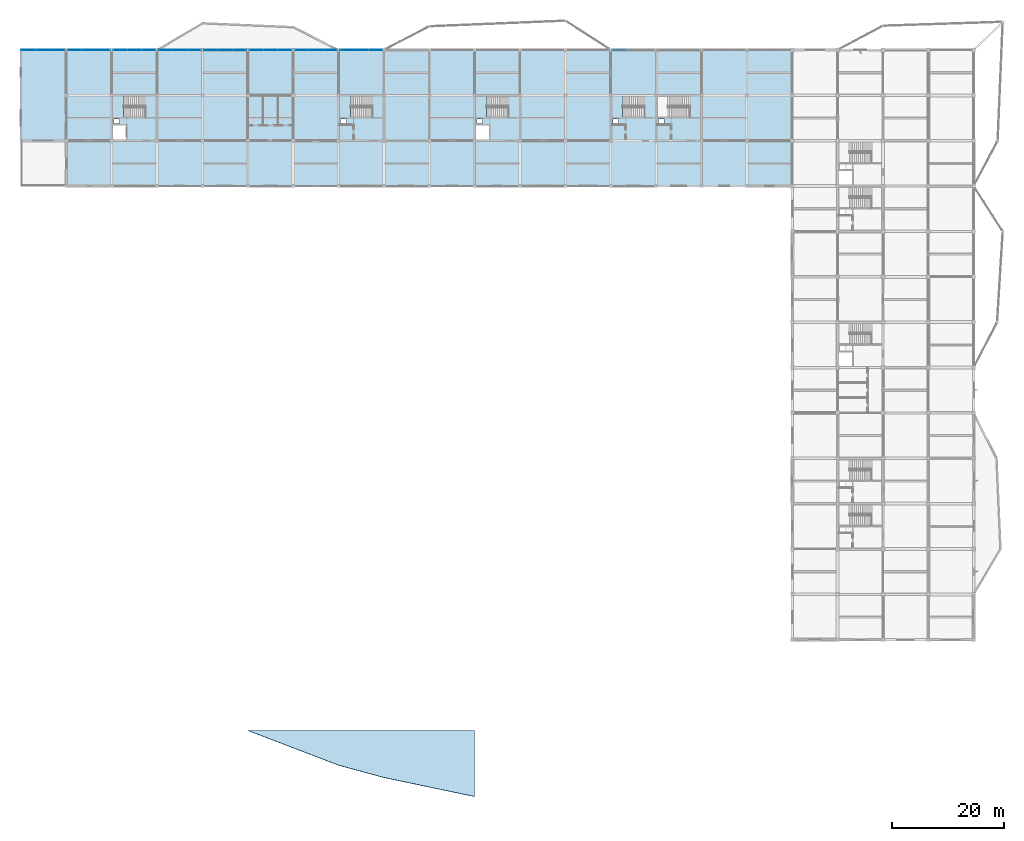
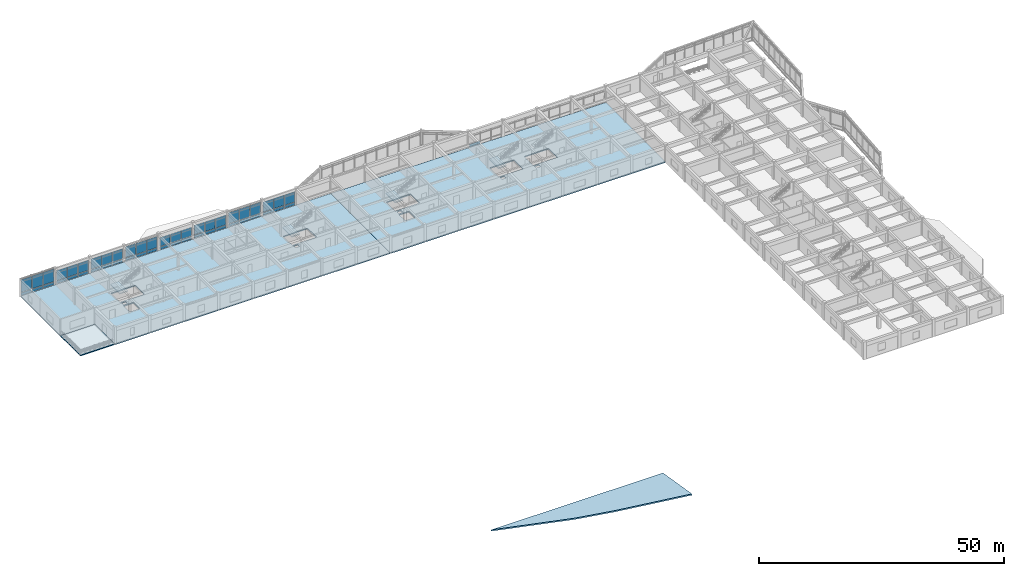
# One storey, part 23 of 42: 49 plates, 8 slabs, 13 elements without a shape of their own.
"""IFC4 building model written with IfcOpenShell, lengths in metres."""

from ifc_helpers import new_model, si_unit, direction, frame, origin, origin_2d, place, context, subcontext, project, spatial, polyline, rectangle, outline, extrude, material, layer, layer_set, type_object, element, aggregate, save


model = new_model("IFC4")

# Units and contexts
model_context = context("Model", 3, precision=1e-05, world=origin(), true_north=direction((0.0, 1.0)))
body_context = subcontext(model_context, "Body", "Model", "MODEL_VIEW")
ifc_project = project(units=[si_unit("LENGTHUNIT", "METRE"), si_unit("AREAUNIT", "SQUARE_METRE"), si_unit("VOLUMEUNIT", "CUBIC_METRE"), si_unit("PLANEANGLEUNIT", "RADIAN"), si_unit("MASSUNIT", "GRAM", prefix="KILO")], contexts=[model_context])

# Site, building, storey
site_placement = place(None, origin())
site = spatial("IfcSite", under=ifc_project, at=site_placement, CompositionType="ELEMENT")
building_placement = place(site_placement, origin())
building = spatial("IfcBuilding", under=site, at=building_placement, Name="Vaudrelin Polytechnic", CompositionType="ELEMENT")
storey_placement = place(building_placement, frame((0.0, 0.0, 18.530029296875)))
storey = spatial("IfcBuildingStorey", under=building, at=storey_placement, Name="L04", CompositionType="ELEMENT", Elevation=18.530029296875)

# Curtain wall, plates
ifc_material_1 = material(Name="Thermally broken anodised aluminium AA 6063-T6 and low-e triple glazing", Category="aluminium")
ifc_layer_1 = layer(ifc_material_1, 0.199951171875)
ifc_layer_set_1 = layer_set([ifc_layer_1], Name="Thermally broken anodised aluminium AA 6063-T6 and low-e triple glazing")
curtain_wall_type = type_object("IfcCurtainWallType", Name="CW-CW-STU", PredefinedType="USERDEFINED", material=ifc_layer_set_1)
curtain_wall_1_placement = place(storey_placement, origin())
curtain_wall_1 = element("IfcCurtainWall", 1, at=curtain_wall_1_placement, inside=storey, type_object=curtain_wall_type, Name="Curtain wall L04 N_V5_00", ObjectType="CURTAIN WALL", PredefinedType="USERDEFINED")
ifc_material_2 = material(Name="Diffusing north-light studio glazing panel", Category="glass")
ifc_layer_2 = layer(ifc_material_2, 0.048095703125)
ifc_layer_set_2 = layer_set([ifc_layer_2], Name="Diffusing north-light studio glazing panel")
plate_type_1 = type_object("IfcPlateType", Name="PLT-GLZ-SAW", PredefinedType="CURTAIN_PANEL", material=ifc_layer_set_2)
plate_1_placement = place(storey_placement, frame((1.304443359375, 121.5, 0.89990234375), z_axis=(0.0, 0.0, 1.0), x_axis=(1.0, 0.0, 0.0)))
plate_1 = element("IfcPlate", 2, at=plate_1_placement, type_object=plate_type_1, Name="N_V5_00 vision panel 1", PredefinedType="CURTAIN_PANEL", context=body_context, shape_type="SweptSolid", body=[
    extrude(rectangle(XDim=2.509033203125, YDim=0.0439453125, at=origin_2d()), origin(), (0.0, 0.0, 1.0), 3.162109375),
])
plate_2_placement = place(storey_placement, frame((3.91357421875, 121.5, 0.89990234375), z_axis=(0.0, 0.0, 1.0), x_axis=(1.0, 0.0, 0.0)))
plate_2 = element("IfcPlate", 3, at=plate_2_placement, type_object=plate_type_1, Name="N_V5_00 vision panel 2", PredefinedType="CURTAIN_PANEL", context=body_context, shape_type="SweptSolid", body=[
    extrude(rectangle(XDim=2.509033203125, YDim=0.0439453125, at=origin_2d()), origin(), (0.0, 0.0, 1.0), 3.162109375),
])
plate_3_placement = place(storey_placement, frame((6.5224609375, 121.5, 0.89990234375), z_axis=(0.0, 0.0, 1.0), x_axis=(1.0, 0.0, 0.0)))
plate_3 = element("IfcPlate", 4, at=plate_3_placement, type_object=plate_type_1, Name="N_V5_00 vision panel 3", PredefinedType="CURTAIN_PANEL", context=body_context, shape_type="SweptSolid", body=[
    extrude(rectangle(XDim=2.509033203125, YDim=0.0439453125, at=origin_2d()), origin(), (0.0, 0.0, 1.0), 3.162109375),
])

curtain_wall_2_placement = place(storey_placement, origin())
curtain_wall_2 = element("IfcCurtainWall", 5, at=curtain_wall_2_placement, inside=storey, type_object=curtain_wall_type, Name="Curtain wall L04 N_V5_01", ObjectType="CURTAIN WALL", PredefinedType="USERDEFINED")
plate_4_placement = place(storey_placement, frame((9.632080078125, 121.5, 0.89990234375), z_axis=(0.0, 0.0, 1.0), x_axis=(1.0, 0.0, 0.0)))
plate_4 = element("IfcPlate", 6, at=plate_4_placement, type_object=plate_type_1, Name="N_V5_01 vision panel 1", PredefinedType="CURTAIN_PANEL", context=body_context, shape_type="SweptSolid", body=[
    extrude(rectangle(XDim=2.41796875, YDim=0.0439453125, at=origin_2d()), origin(), (0.0, 0.0, 1.0), 2.511962890625),
])
plate_5_placement = place(storey_placement, frame((12.14990234375, 121.5, 0.89990234375), z_axis=(0.0, 0.0, 1.0), x_axis=(1.0, 0.0, 0.0)))
plate_5 = element("IfcPlate", 7, at=plate_5_placement, type_object=plate_type_1, Name="N_V5_01 vision panel 2", PredefinedType="CURTAIN_PANEL", context=body_context, shape_type="SweptSolid", body=[
    extrude(rectangle(XDim=2.41796875, YDim=0.0439453125, at=origin_2d()), origin(), (0.0, 0.0, 1.0), 2.511962890625),
])
plate_6_placement = place(storey_placement, frame((14.66796875, 121.5, 0.89990234375), z_axis=(0.0, 0.0, 1.0), x_axis=(1.0, 0.0, 0.0)))
plate_6 = element("IfcPlate", 8, at=plate_6_placement, type_object=plate_type_1, Name="N_V5_01 vision panel 3", PredefinedType="CURTAIN_PANEL", context=body_context, shape_type="SweptSolid", body=[
    extrude(rectangle(XDim=2.41796875, YDim=0.0439453125, at=origin_2d()), origin(), (0.0, 0.0, 1.0), 2.511962890625),
])

curtain_wall_3_placement = place(storey_placement, origin())
curtain_wall_3 = element("IfcCurtainWall", 9, at=curtain_wall_3_placement, inside=storey, type_object=curtain_wall_type, Name="Curtain wall L04 N_V5_02", ObjectType="CURTAIN WALL", PredefinedType="USERDEFINED")
plate_7_placement = place(storey_placement, frame((17.73193359375, 121.5, 0.89990234375), z_axis=(0.0, 0.0, 1.0), x_axis=(1.0, 0.0, 0.0)))
plate_7 = element("IfcPlate", 10, at=plate_7_placement, type_object=plate_type_1, Name="N_V5_02 vision panel 1", PredefinedType="CURTAIN_PANEL", context=body_context, shape_type="SweptSolid", body=[
    extrude(rectangle(XDim=2.41796875, YDim=0.0439453125, at=origin_2d()), origin(), (0.0, 0.0, 1.0), 2.56201171875),
])
plate_8_placement = place(storey_placement, frame((20.25, 121.5, 0.89990234375), z_axis=(0.0, 0.0, 1.0), x_axis=(1.0, 0.0, 0.0)))
plate_8 = element("IfcPlate", 11, at=plate_8_placement, type_object=plate_type_1, Name="N_V5_02 vision panel 2", PredefinedType="CURTAIN_PANEL", context=body_context, shape_type="SweptSolid", body=[
    extrude(rectangle(XDim=2.41796875, YDim=0.0439453125, at=origin_2d()), origin(), (0.0, 0.0, 1.0), 2.56201171875),
])
plate_9_placement = place(storey_placement, frame((22.76806640625, 121.5, 0.89990234375), z_axis=(0.0, 0.0, 1.0), x_axis=(1.0, 0.0, 0.0)))
plate_9 = element("IfcPlate", 12, at=plate_9_placement, type_object=plate_type_1, Name="N_V5_02 vision panel 3", PredefinedType="CURTAIN_PANEL", context=body_context, shape_type="SweptSolid", body=[
    extrude(rectangle(XDim=2.41796875, YDim=0.0439453125, at=origin_2d()), origin(), (0.0, 0.0, 1.0), 2.56201171875),
])

curtain_wall_4_placement = place(storey_placement, origin())
curtain_wall_4 = element("IfcCurtainWall", 13, at=curtain_wall_4_placement, inside=storey, type_object=curtain_wall_type, Name="Curtain wall L04 N_V5_03", ObjectType="CURTAIN WALL", PredefinedType="USERDEFINED")
plate_10_placement = place(storey_placement, frame((25.83203125, 121.5, 0.89990234375), z_axis=(0.0, 0.0, 1.0), x_axis=(1.0, 0.0, 0.0)))
plate_10 = element("IfcPlate", 14, at=plate_10_placement, type_object=plate_type_1, Name="N_V5_03 vision panel 1", PredefinedType="CURTAIN_PANEL", context=body_context, shape_type="SweptSolid", body=[
    extrude(rectangle(XDim=2.41796875, YDim=0.0439453125, at=origin_2d()), origin(), (0.0, 0.0, 1.0), 2.7470703125),
])
plate_11_placement = place(storey_placement, frame((28.35009765625, 121.5, 0.89990234375), z_axis=(0.0, 0.0, 1.0), x_axis=(1.0, 0.0, 0.0)))
plate_11 = element("IfcPlate", 15, at=plate_11_placement, type_object=plate_type_1, Name="N_V5_03 vision panel 2", PredefinedType="CURTAIN_PANEL", context=body_context, shape_type="SweptSolid", body=[
    extrude(rectangle(XDim=2.41796875, YDim=0.0439453125, at=origin_2d()), origin(), (0.0, 0.0, 1.0), 2.7470703125),
])
plate_12_placement = place(storey_placement, frame((30.867919921875, 121.5, 0.89990234375), z_axis=(0.0, 0.0, 1.0), x_axis=(1.0, 0.0, 0.0)))
plate_12 = element("IfcPlate", 16, at=plate_12_placement, type_object=plate_type_1, Name="N_V5_03 vision panel 3", PredefinedType="CURTAIN_PANEL", context=body_context, shape_type="SweptSolid", body=[
    extrude(rectangle(XDim=2.41796875, YDim=0.0439453125, at=origin_2d()), origin(), (0.0, 0.0, 1.0), 2.7470703125),
])

curtain_wall_5_placement = place(storey_placement, origin())
curtain_wall_5 = element("IfcCurtainWall", 17, at=curtain_wall_5_placement, inside=storey, type_object=curtain_wall_type, Name="Curtain wall L04 N_V5_04", ObjectType="CURTAIN WALL", PredefinedType="USERDEFINED")
plate_13_placement = place(storey_placement, frame((33.931884765625, 121.5, 0.89990234375), z_axis=(0.0, 0.0, 1.0), x_axis=(1.0, 0.0, 0.0)))
plate_13 = element("IfcPlate", 18, at=plate_13_placement, type_object=plate_type_1, Name="N_V5_04 vision panel 1", PredefinedType="CURTAIN_PANEL", context=body_context, shape_type="SweptSolid", body=[
    extrude(rectangle(XDim=2.41796875, YDim=0.0439453125, at=origin_2d()), origin(), (0.0, 0.0, 1.0), 2.2119140625),
])
plate_14_placement = place(storey_placement, frame((36.449951171875, 121.5, 0.89990234375), z_axis=(0.0, 0.0, 1.0), x_axis=(1.0, 0.0, 0.0)))
plate_14 = element("IfcPlate", 19, at=plate_14_placement, type_object=plate_type_1, Name="N_V5_04 vision panel 2", PredefinedType="CURTAIN_PANEL", context=body_context, shape_type="SweptSolid", body=[
    extrude(rectangle(XDim=2.41796875, YDim=0.0439453125, at=origin_2d()), origin(), (0.0, 0.0, 1.0), 2.2119140625),
])
plate_15_placement = place(storey_placement, frame((38.968017578125, 121.5, 0.89990234375), z_axis=(0.0, 0.0, 1.0), x_axis=(1.0, 0.0, 0.0)))
plate_15 = element("IfcPlate", 20, at=plate_15_placement, type_object=plate_type_1, Name="N_V5_04 vision panel 3", PredefinedType="CURTAIN_PANEL", context=body_context, shape_type="SweptSolid", body=[
    extrude(rectangle(XDim=2.41796875, YDim=0.0439453125, at=origin_2d()), origin(), (0.0, 0.0, 1.0), 2.2119140625),
])

curtain_wall_6_placement = place(storey_placement, origin())
curtain_wall_6 = element("IfcCurtainWall", 21, at=curtain_wall_6_placement, inside=storey, type_object=curtain_wall_type, Name="Curtain wall L04 N_V5_05", ObjectType="CURTAIN WALL", PredefinedType="USERDEFINED")
plate_16_placement = place(storey_placement, frame((42.031982421875, 121.5, 0.89990234375), z_axis=(0.0, 0.0, 1.0), x_axis=(1.0, 0.0, 0.0)))
plate_16 = element("IfcPlate", 22, at=plate_16_placement, type_object=plate_type_1, Name="N_V5_05 vision panel 1", PredefinedType="CURTAIN_PANEL", context=body_context, shape_type="SweptSolid", body=[
    extrude(rectangle(XDim=2.41796875, YDim=0.0439453125, at=origin_2d()), origin(), (0.0, 0.0, 1.0), 2.412109375),
])
plate_17_placement = place(storey_placement, frame((44.550048828125, 121.5, 0.89990234375), z_axis=(0.0, 0.0, 1.0), x_axis=(1.0, 0.0, 0.0)))
plate_17 = element("IfcPlate", 23, at=plate_17_placement, type_object=plate_type_1, Name="N_V5_05 vision panel 2", PredefinedType="CURTAIN_PANEL", context=body_context, shape_type="SweptSolid", body=[
    extrude(rectangle(XDim=2.41796875, YDim=0.0439453125, at=origin_2d()), origin(), (0.0, 0.0, 1.0), 2.412109375),
])
plate_18_placement = place(storey_placement, frame((47.068115234375, 121.5, 0.89990234375), z_axis=(0.0, 0.0, 1.0), x_axis=(1.0, 0.0, 0.0)))
plate_18 = element("IfcPlate", 24, at=plate_18_placement, type_object=plate_type_1, Name="N_V5_05 vision panel 3", PredefinedType="CURTAIN_PANEL", context=body_context, shape_type="SweptSolid", body=[
    extrude(rectangle(XDim=2.41796875, YDim=0.0439453125, at=origin_2d()), origin(), (0.0, 0.0, 1.0), 2.412109375),
])

curtain_wall_7_placement = place(storey_placement, origin())
curtain_wall_7 = element("IfcCurtainWall", 25, at=curtain_wall_7_placement, inside=storey, type_object=curtain_wall_type, Name="Curtain wall L04 N_V5_06", ObjectType="CURTAIN WALL", PredefinedType="USERDEFINED")
plate_19_placement = place(storey_placement, frame((50.132080078125, 121.5, 0.89990234375), z_axis=(0.0, 0.0, 1.0), x_axis=(1.0, 0.0, 0.0)))
plate_19 = element("IfcPlate", 26, at=plate_19_placement, type_object=plate_type_1, Name="N_V5_06 vision panel 1", PredefinedType="CURTAIN_PANEL", context=body_context, shape_type="SweptSolid", body=[
    extrude(rectangle(XDim=2.41796875, YDim=0.0439453125, at=origin_2d()), origin(), (0.0, 0.0, 1.0), 2.7470703125),
])
plate_20_placement = place(storey_placement, frame((52.64990234375, 121.5, 0.89990234375), z_axis=(0.0, 0.0, 1.0), x_axis=(1.0, 0.0, 0.0)))
plate_20 = element("IfcPlate", 27, at=plate_20_placement, type_object=plate_type_1, Name="N_V5_06 vision panel 2", PredefinedType="CURTAIN_PANEL", context=body_context, shape_type="SweptSolid", body=[
    extrude(rectangle(XDim=2.41796875, YDim=0.0439453125, at=origin_2d()), origin(), (0.0, 0.0, 1.0), 2.7470703125),
])
plate_21_placement = place(storey_placement, frame((55.16796875, 121.5, 0.89990234375), z_axis=(0.0, 0.0, 1.0), x_axis=(1.0, 0.0, 0.0)))
plate_21 = element("IfcPlate", 28, at=plate_21_placement, type_object=plate_type_1, Name="N_V5_06 vision panel 3", PredefinedType="CURTAIN_PANEL", context=body_context, shape_type="SweptSolid", body=[
    extrude(rectangle(XDim=2.41796875, YDim=0.0439453125, at=origin_2d()), origin(), (0.0, 0.0, 1.0), 2.7470703125),
])

curtain_wall_8_placement = place(storey_placement, origin())
curtain_wall_8 = element("IfcCurtainWall", 29, at=curtain_wall_8_placement, inside=storey, type_object=curtain_wall_type, Name="Curtain wall L04 N_V5_07", ObjectType="CURTAIN WALL", PredefinedType="USERDEFINED")
plate_22_placement = place(storey_placement, frame((58.23193359375, 121.5, 0.89990234375), z_axis=(0.0, 0.0, 1.0), x_axis=(1.0, 0.0, 0.0)))
plate_22 = element("IfcPlate", 30, at=plate_22_placement, type_object=plate_type_1, Name="N_V5_07 vision panel 1", PredefinedType="CURTAIN_PANEL", context=body_context, shape_type="SweptSolid", body=[
    extrude(rectangle(XDim=2.41796875, YDim=0.0439453125, at=origin_2d()), origin(), (0.0, 0.0, 1.0), 2.56201171875),
])
plate_23_placement = place(storey_placement, frame((60.75, 121.5, 0.89990234375), z_axis=(0.0, 0.0, 1.0), x_axis=(1.0, 0.0, 0.0)))
plate_23 = element("IfcPlate", 31, at=plate_23_placement, type_object=plate_type_1, Name="N_V5_07 vision panel 2", PredefinedType="CURTAIN_PANEL", context=body_context, shape_type="SweptSolid", body=[
    extrude(rectangle(XDim=2.41796875, YDim=0.0439453125, at=origin_2d()), origin(), (0.0, 0.0, 1.0), 2.56201171875),
])
plate_24_placement = place(storey_placement, frame((63.26806640625, 121.5, 0.89990234375), z_axis=(0.0, 0.0, 1.0), x_axis=(1.0, 0.0, 0.0)))
plate_24 = element("IfcPlate", 32, at=plate_24_placement, type_object=plate_type_1, Name="N_V5_07 vision panel 3", PredefinedType="CURTAIN_PANEL", context=body_context, shape_type="SweptSolid", body=[
    extrude(rectangle(XDim=2.41796875, YDim=0.0439453125, at=origin_2d()), origin(), (0.0, 0.0, 1.0), 2.56201171875),
])

# Plate
ifc_material_3 = material(Name="Insulated ceramic-frit spandrel glass panel", Category="glass")
ifc_layer_3 = layer(ifc_material_3, 0.052001953125)
ifc_layer_set_3 = layer_set([ifc_layer_3], Name="Insulated ceramic-frit spandrel glass panel")
plate_type_2 = type_object("IfcPlateType", Name="PLT-GLZ-SPAND", PredefinedType="CURTAIN_PANEL", material=ifc_layer_set_3)
plate_25_placement = place(storey_placement, frame((1.304443359375, 121.5, 0.08984375), z_axis=(0.0, 0.0, 1.0), x_axis=(1.0, 0.0, 0.0)))
plate_25 = element("IfcPlate", 33, at=plate_25_placement, type_object=plate_type_2, Name="N_V5_00 spandrel panel 1", PredefinedType="CURTAIN_PANEL", context=body_context, shape_type="SweptSolid", body=[
    extrude(rectangle(XDim=2.509033203125, YDim=0.052001953125, at=origin_2d()), origin(), (0.0, 0.0, 1.0), 0.699951171875),
])

plate_26_placement = place(storey_placement, frame((3.91357421875, 121.5, 0.08984375), z_axis=(0.0, 0.0, 1.0), x_axis=(1.0, 0.0, 0.0)))
plate_26 = element("IfcPlate", 34, at=plate_26_placement, type_object=plate_type_2, Name="N_V5_00 spandrel panel 2", PredefinedType="CURTAIN_PANEL", context=body_context, shape_type="SweptSolid", body=[
    extrude(rectangle(XDim=2.509033203125, YDim=0.052001953125, at=origin_2d()), origin(), (0.0, 0.0, 1.0), 0.699951171875),
])

plate_27_placement = place(storey_placement, frame((6.5224609375, 121.5, 0.08984375), z_axis=(0.0, 0.0, 1.0), x_axis=(1.0, 0.0, 0.0)))
plate_27 = element("IfcPlate", 35, at=plate_27_placement, type_object=plate_type_2, Name="N_V5_00 spandrel panel 3", PredefinedType="CURTAIN_PANEL", context=body_context, shape_type="SweptSolid", body=[
    extrude(rectangle(XDim=2.509033203125, YDim=0.052001953125, at=origin_2d()), origin(), (0.0, 0.0, 1.0), 0.699951171875),
])

aggregate(curtain_wall_1, [plate_25, plate_1, plate_26, plate_2, plate_27, plate_3])

plate_28_placement = place(storey_placement, frame((9.632080078125, 121.5, 0.08984375), z_axis=(0.0, 0.0, 1.0), x_axis=(1.0, 0.0, 0.0)))
plate_28 = element("IfcPlate", 36, at=plate_28_placement, type_object=plate_type_2, Name="N_V5_01 spandrel panel 1", PredefinedType="CURTAIN_PANEL", context=body_context, shape_type="SweptSolid", body=[
    extrude(rectangle(XDim=2.41796875, YDim=0.052001953125, at=origin_2d()), origin(), (0.0, 0.0, 1.0), 0.699951171875),
])

plate_29_placement = place(storey_placement, frame((12.14990234375, 121.5, 0.08984375), z_axis=(0.0, 0.0, 1.0), x_axis=(1.0, 0.0, 0.0)))
plate_29 = element("IfcPlate", 37, at=plate_29_placement, type_object=plate_type_2, Name="N_V5_01 spandrel panel 2", PredefinedType="CURTAIN_PANEL", context=body_context, shape_type="SweptSolid", body=[
    extrude(rectangle(XDim=2.41796875, YDim=0.052001953125, at=origin_2d()), origin(), (0.0, 0.0, 1.0), 0.699951171875),
])

plate_30_placement = place(storey_placement, frame((14.66796875, 121.5, 0.08984375), z_axis=(0.0, 0.0, 1.0), x_axis=(1.0, 0.0, 0.0)))
plate_30 = element("IfcPlate", 38, at=plate_30_placement, type_object=plate_type_2, Name="N_V5_01 spandrel panel 3", PredefinedType="CURTAIN_PANEL", context=body_context, shape_type="SweptSolid", body=[
    extrude(rectangle(XDim=2.41796875, YDim=0.052001953125, at=origin_2d()), origin(), (0.0, 0.0, 1.0), 0.699951171875),
])

aggregate(curtain_wall_2, [plate_28, plate_4, plate_29, plate_5, plate_30, plate_6])

plate_31_placement = place(storey_placement, frame((17.73193359375, 121.5, 0.08984375), z_axis=(0.0, 0.0, 1.0), x_axis=(1.0, 0.0, 0.0)))
plate_31 = element("IfcPlate", 39, at=plate_31_placement, type_object=plate_type_2, Name="N_V5_02 spandrel panel 1", PredefinedType="CURTAIN_PANEL", context=body_context, shape_type="SweptSolid", body=[
    extrude(rectangle(XDim=2.41796875, YDim=0.052001953125, at=origin_2d()), origin(), (0.0, 0.0, 1.0), 0.699951171875),
])

plate_32_placement = place(storey_placement, frame((20.25, 121.5, 0.08984375), z_axis=(0.0, 0.0, 1.0), x_axis=(1.0, 0.0, 0.0)))
plate_32 = element("IfcPlate", 40, at=plate_32_placement, type_object=plate_type_2, Name="N_V5_02 spandrel panel 2", PredefinedType="CURTAIN_PANEL", context=body_context, shape_type="SweptSolid", body=[
    extrude(rectangle(XDim=2.41796875, YDim=0.052001953125, at=origin_2d()), origin(), (0.0, 0.0, 1.0), 0.699951171875),
])

plate_33_placement = place(storey_placement, frame((22.76806640625, 121.5, 0.08984375), z_axis=(0.0, 0.0, 1.0), x_axis=(1.0, 0.0, 0.0)))
plate_33 = element("IfcPlate", 41, at=plate_33_placement, type_object=plate_type_2, Name="N_V5_02 spandrel panel 3", PredefinedType="CURTAIN_PANEL", context=body_context, shape_type="SweptSolid", body=[
    extrude(rectangle(XDim=2.41796875, YDim=0.052001953125, at=origin_2d()), origin(), (0.0, 0.0, 1.0), 0.699951171875),
])

aggregate(curtain_wall_3, [plate_31, plate_7, plate_32, plate_8, plate_33, plate_9])

plate_34_placement = place(storey_placement, frame((25.83203125, 121.5, 0.08984375), z_axis=(0.0, 0.0, 1.0), x_axis=(1.0, 0.0, 0.0)))
plate_34 = element("IfcPlate", 42, at=plate_34_placement, type_object=plate_type_2, Name="N_V5_03 spandrel panel 1", PredefinedType="CURTAIN_PANEL", context=body_context, shape_type="SweptSolid", body=[
    extrude(rectangle(XDim=2.41796875, YDim=0.052001953125, at=origin_2d()), origin(), (0.0, 0.0, 1.0), 0.699951171875),
])

plate_35_placement = place(storey_placement, frame((28.35009765625, 121.5, 0.08984375), z_axis=(0.0, 0.0, 1.0), x_axis=(1.0, 0.0, 0.0)))
plate_35 = element("IfcPlate", 43, at=plate_35_placement, type_object=plate_type_2, Name="N_V5_03 spandrel panel 2", PredefinedType="CURTAIN_PANEL", context=body_context, shape_type="SweptSolid", body=[
    extrude(rectangle(XDim=2.41796875, YDim=0.052001953125, at=origin_2d()), origin(), (0.0, 0.0, 1.0), 0.699951171875),
])

plate_36_placement = place(storey_placement, frame((30.867919921875, 121.5, 0.08984375), z_axis=(0.0, 0.0, 1.0), x_axis=(1.0, 0.0, 0.0)))
plate_36 = element("IfcPlate", 44, at=plate_36_placement, type_object=plate_type_2, Name="N_V5_03 spandrel panel 3", PredefinedType="CURTAIN_PANEL", context=body_context, shape_type="SweptSolid", body=[
    extrude(rectangle(XDim=2.41796875, YDim=0.052001953125, at=origin_2d()), origin(), (0.0, 0.0, 1.0), 0.699951171875),
])

aggregate(curtain_wall_4, [plate_34, plate_10, plate_35, plate_11, plate_36, plate_12])

plate_37_placement = place(storey_placement, frame((33.931884765625, 121.5, 0.08984375), z_axis=(0.0, 0.0, 1.0), x_axis=(1.0, 0.0, 0.0)))
plate_37 = element("IfcPlate", 45, at=plate_37_placement, type_object=plate_type_2, Name="N_V5_04 spandrel panel 1", PredefinedType="CURTAIN_PANEL", context=body_context, shape_type="SweptSolid", body=[
    extrude(rectangle(XDim=2.41796875, YDim=0.052001953125, at=origin_2d()), origin(), (0.0, 0.0, 1.0), 0.699951171875),
])

plate_38_placement = place(storey_placement, frame((36.449951171875, 121.5, 0.08984375), z_axis=(0.0, 0.0, 1.0), x_axis=(1.0, 0.0, 0.0)))
plate_38 = element("IfcPlate", 46, at=plate_38_placement, type_object=plate_type_2, Name="N_V5_04 spandrel panel 2", PredefinedType="CURTAIN_PANEL", context=body_context, shape_type="SweptSolid", body=[
    extrude(rectangle(XDim=2.41796875, YDim=0.052001953125, at=origin_2d()), origin(), (0.0, 0.0, 1.0), 0.699951171875),
])

plate_39_placement = place(storey_placement, frame((38.968017578125, 121.5, 0.08984375), z_axis=(0.0, 0.0, 1.0), x_axis=(1.0, 0.0, 0.0)))
plate_39 = element("IfcPlate", 47, at=plate_39_placement, type_object=plate_type_2, Name="N_V5_04 spandrel panel 3", PredefinedType="CURTAIN_PANEL", context=body_context, shape_type="SweptSolid", body=[
    extrude(rectangle(XDim=2.41796875, YDim=0.052001953125, at=origin_2d()), origin(), (0.0, 0.0, 1.0), 0.699951171875),
])

aggregate(curtain_wall_5, [plate_37, plate_13, plate_38, plate_14, plate_39, plate_15])

plate_40_placement = place(storey_placement, frame((42.031982421875, 121.5, 0.08984375), z_axis=(0.0, 0.0, 1.0), x_axis=(1.0, 0.0, 0.0)))
plate_40 = element("IfcPlate", 48, at=plate_40_placement, type_object=plate_type_2, Name="N_V5_05 spandrel panel 1", PredefinedType="CURTAIN_PANEL", context=body_context, shape_type="SweptSolid", body=[
    extrude(rectangle(XDim=2.41796875, YDim=0.052001953125, at=origin_2d()), origin(), (0.0, 0.0, 1.0), 0.699951171875),
])

plate_41_placement = place(storey_placement, frame((44.550048828125, 121.5, 0.08984375), z_axis=(0.0, 0.0, 1.0), x_axis=(1.0, 0.0, 0.0)))
plate_41 = element("IfcPlate", 49, at=plate_41_placement, type_object=plate_type_2, Name="N_V5_05 spandrel panel 2", PredefinedType="CURTAIN_PANEL", context=body_context, shape_type="SweptSolid", body=[
    extrude(rectangle(XDim=2.41796875, YDim=0.052001953125, at=origin_2d()), origin(), (0.0, 0.0, 1.0), 0.699951171875),
])

plate_42_placement = place(storey_placement, frame((47.068115234375, 121.5, 0.08984375), z_axis=(0.0, 0.0, 1.0), x_axis=(1.0, 0.0, 0.0)))
plate_42 = element("IfcPlate", 50, at=plate_42_placement, type_object=plate_type_2, Name="N_V5_05 spandrel panel 3", PredefinedType="CURTAIN_PANEL", context=body_context, shape_type="SweptSolid", body=[
    extrude(rectangle(XDim=2.41796875, YDim=0.052001953125, at=origin_2d()), origin(), (0.0, 0.0, 1.0), 0.699951171875),
])

aggregate(curtain_wall_6, [plate_40, plate_16, plate_41, plate_17, plate_42, plate_18])

plate_43_placement = place(storey_placement, frame((50.132080078125, 121.5, 0.08984375), z_axis=(0.0, 0.0, 1.0), x_axis=(1.0, 0.0, 0.0)))
plate_43 = element("IfcPlate", 51, at=plate_43_placement, type_object=plate_type_2, Name="N_V5_06 spandrel panel 1", PredefinedType="CURTAIN_PANEL", context=body_context, shape_type="SweptSolid", body=[
    extrude(rectangle(XDim=2.41796875, YDim=0.052001953125, at=origin_2d()), origin(), (0.0, 0.0, 1.0), 0.699951171875),
])

plate_44_placement = place(storey_placement, frame((52.64990234375, 121.5, 0.08984375), z_axis=(0.0, 0.0, 1.0), x_axis=(1.0, 0.0, 0.0)))
plate_44 = element("IfcPlate", 52, at=plate_44_placement, type_object=plate_type_2, Name="N_V5_06 spandrel panel 2", PredefinedType="CURTAIN_PANEL", context=body_context, shape_type="SweptSolid", body=[
    extrude(rectangle(XDim=2.41796875, YDim=0.052001953125, at=origin_2d()), origin(), (0.0, 0.0, 1.0), 0.699951171875),
])

plate_45_placement = place(storey_placement, frame((55.16796875, 121.5, 0.08984375), z_axis=(0.0, 0.0, 1.0), x_axis=(1.0, 0.0, 0.0)))
plate_45 = element("IfcPlate", 53, at=plate_45_placement, type_object=plate_type_2, Name="N_V5_06 spandrel panel 3", PredefinedType="CURTAIN_PANEL", context=body_context, shape_type="SweptSolid", body=[
    extrude(rectangle(XDim=2.41796875, YDim=0.052001953125, at=origin_2d()), origin(), (0.0, 0.0, 1.0), 0.699951171875),
])

aggregate(curtain_wall_7, [plate_43, plate_19, plate_44, plate_20, plate_45, plate_21])

plate_46_placement = place(storey_placement, frame((58.23193359375, 121.5, 0.08984375), z_axis=(0.0, 0.0, 1.0), x_axis=(1.0, 0.0, 0.0)))
plate_46 = element("IfcPlate", 54, at=plate_46_placement, type_object=plate_type_2, Name="N_V5_07 spandrel panel 1", PredefinedType="CURTAIN_PANEL", context=body_context, shape_type="SweptSolid", body=[
    extrude(rectangle(XDim=2.41796875, YDim=0.052001953125, at=origin_2d()), origin(), (0.0, 0.0, 1.0), 0.699951171875),
])

plate_47_placement = place(storey_placement, frame((60.75, 121.5, 0.08984375), z_axis=(0.0, 0.0, 1.0), x_axis=(1.0, 0.0, 0.0)))
plate_47 = element("IfcPlate", 55, at=plate_47_placement, type_object=plate_type_2, Name="N_V5_07 spandrel panel 2", PredefinedType="CURTAIN_PANEL", context=body_context, shape_type="SweptSolid", body=[
    extrude(rectangle(XDim=2.41796875, YDim=0.052001953125, at=origin_2d()), origin(), (0.0, 0.0, 1.0), 0.699951171875),
])

plate_48_placement = place(storey_placement, frame((63.26806640625, 121.5, 0.08984375), z_axis=(0.0, 0.0, 1.0), x_axis=(1.0, 0.0, 0.0)))
plate_48 = element("IfcPlate", 56, at=plate_48_placement, type_object=plate_type_2, Name="N_V5_07 spandrel panel 3", PredefinedType="CURTAIN_PANEL", context=body_context, shape_type="SweptSolid", body=[
    extrude(rectangle(XDim=2.41796875, YDim=0.052001953125, at=origin_2d()), origin(), (0.0, 0.0, 1.0), 0.699951171875),
])

aggregate(curtain_wall_8, [plate_46, plate_22, plate_47, plate_23, plate_48, plate_24])

# Curtain wall, plate
curtain_wall_9_placement = place(storey_placement, origin())
curtain_wall_9 = element("IfcCurtainWall", 57, at=curtain_wall_9_placement, inside=storey, type_object=curtain_wall_type, Name="Curtain wall L04 N_V5_13", ObjectType="CURTAIN WALL", PredefinedType="USERDEFINED")
plate_49_placement = place(storey_placement, frame((106.83203125, 121.5, 0.08984375), z_axis=(0.0, 0.0, 1.0), x_axis=(1.0, 0.0, 0.0)))
plate_49 = element("IfcPlate", 58, at=plate_49_placement, type_object=plate_type_2, Name="N_V5_13 spandrel panel 1", PredefinedType="CURTAIN_PANEL", context=body_context, shape_type="SweptSolid", body=[
    extrude(rectangle(XDim=2.41796875, YDim=0.052001953125, at=origin_2d()), origin(), (0.0, 0.0, 1.0), 0.699951171875),
])
aggregate(curtain_wall_9, [plate_49])

# Stair, slab
ifc_material_4 = material(Name="Concrete 35 MPa", Category="concrete")
stair_type = type_object("IfcStairType", Name="STR-ST-CORE", PredefinedType="TWO_STRAIGHT_RUN_STAIR", material=ifc_material_4)
stair_1_placement = place(storey_placement, origin())
stair_1 = element("IfcStair", 59, at=stair_1_placement, inside=storey, type_object=stair_type, Name="Exit stair ST-01-L04", PredefinedType="TWO_STRAIGHT_RUN_STAIR")
ifc_layer_4 = layer(ifc_material_4, 0.219970703125)
ifc_layer_set_4 = layer_set([ifc_layer_4], Name="Concrete 35 MPa")
slab_type_1 = type_object("IfcSlabType", Name="SLB-LND220", PredefinedType="LANDING", material=ifc_layer_set_4)
slab_1_placement = place(storey_placement, frame((0.0, 0.0, 1.989990234375)))
slab_1 = element("IfcSlab", 60, at=slab_1_placement, type_object=slab_type_1, Name="ST-01-L04 landing 1", PredefinedType="LANDING", context=body_context, shape_type="SweptSolid", body=[
    extrude(outline(polyline([(16.340087890625, 109.4599609375), (18.31005859375, 109.4599609375), (18.31005859375, 113.300048828125), (16.340087890625, 113.300048828125), (16.340087890625, 109.4599609375)])), origin(), (0.0, 0.0, 1.0), 0.219970703125),
])
aggregate(stair_1, [slab_1])

stair_2_placement = place(storey_placement, origin())
stair_2 = element("IfcStair", 61, at=stair_2_placement, inside=storey, type_object=stair_type, Name="Exit stair ST-02-L04", PredefinedType="TWO_STRAIGHT_RUN_STAIR")
slab_2_placement = place(storey_placement, frame((0.0, 0.0, 1.989990234375)))
slab_2 = element("IfcSlab", 62, at=slab_2_placement, type_object=slab_type_1, Name="ST-02-L04 landing 1", PredefinedType="LANDING", context=body_context, shape_type="SweptSolid", body=[
    extrude(outline(polyline([(81.139892578125, 109.4599609375), (83.110107421875, 109.4599609375), (83.110107421875, 113.300048828125), (81.139892578125, 113.300048828125), (81.139892578125, 109.4599609375)])), origin(), (0.0, 0.0, 1.0), 0.219970703125),
])
aggregate(stair_2, [slab_2])

stair_3_placement = place(storey_placement, origin())
stair_3 = element("IfcStair", 63, at=stair_3_placement, inside=storey, type_object=stair_type, Name="Exit stair ST-09-L04", PredefinedType="TWO_STRAIGHT_RUN_STAIR")
slab_3_placement = place(storey_placement, frame((0.0, 0.0, 1.989990234375)))
slab_3 = element("IfcSlab", 64, at=slab_3_placement, type_object=slab_type_1, Name="ST-09-L04 landing 1", PredefinedType="LANDING", context=body_context, shape_type="SweptSolid", body=[
    extrude(outline(polyline([(56.840087890625, 109.4599609375), (58.81005859375, 109.4599609375), (58.81005859375, 113.300048828125), (56.840087890625, 113.300048828125), (56.840087890625, 109.4599609375)])), origin(), (0.0, 0.0, 1.0), 0.219970703125),
])
aggregate(stair_3, [slab_3])

stair_4_placement = place(storey_placement, origin())
stair_4 = element("IfcStair", 65, at=stair_4_placement, inside=storey, type_object=stair_type, Name="Exit stair ST-11-L04", PredefinedType="TWO_STRAIGHT_RUN_STAIR")
slab_4_placement = place(storey_placement, frame((0.0, 0.0, 1.989990234375)))
slab_4 = element("IfcSlab", 66, at=slab_4_placement, type_object=slab_type_1, Name="ST-11-L04 landing 1", PredefinedType="LANDING", context=body_context, shape_type="SweptSolid", body=[
    extrude(outline(polyline([(105.43994140625, 109.4599609375), (107.409912109375, 109.4599609375), (107.409912109375, 113.300048828125), (105.43994140625, 113.300048828125), (105.43994140625, 109.4599609375)])), origin(), (0.0, 0.0, 1.0), 0.219970703125),
])
aggregate(stair_4, [slab_4])

# Slabs
ifc_layer_5 = layer(ifc_material_4, 0.260009765625)
ifc_layer_set_5 = layer_set([ifc_layer_5], Name="Concrete 35 MPa")
slab_type_2 = type_object("IfcSlabType", Name="SLB-SL-F260", PredefinedType="FLOOR", material=ifc_layer_set_5)
slab_5_placement = place(storey_placement, frame((0.0, 0.0, -0.260009765625)))
element("IfcSlab", 67, at=slab_5_placement, inside=storey, type_object=slab_type_2, Name="L04 floor slab V5-W", PredefinedType="FLOOR", context=body_context, shape_type="SweptSolid", body=[
    extrude(outline(polyline([(0.0, 105.300048828125), (8.10009765625, 105.300048828125), (8.10009765625, 97.199951171875), (72.89990234375, 97.199951171875), (72.89990234375, 121.5), (0.0, 121.5), (0.0, 105.300048828125)]), holes=[polyline([(16.449951171875, 109.510009765625), (22.199951171875, 109.510009765625), (22.199951171875, 113.14990234375), (16.449951171875, 113.14990234375), (16.449951171875, 109.510009765625)]), polyline([(16.449951171875, 105.550048828125), (18.780029296875, 105.550048828125), (18.780029296875, 108.030029296875), (16.449951171875, 108.030029296875), (16.449951171875, 105.550048828125)]), polyline([(16.580078125, 108.3798828125), (17.580078125, 108.3798828125), (17.580078125, 109.179931640625), (16.580078125, 109.179931640625), (16.580078125, 108.3798828125)]), polyline([(56.949951171875, 109.510009765625), (62.699951171875, 109.510009765625), (62.699951171875, 113.14990234375), (56.949951171875, 113.14990234375), (56.949951171875, 109.510009765625)]), polyline([(57.080078125, 108.3798828125), (58.080078125, 108.3798828125), (58.080078125, 109.179931640625), (57.080078125, 109.179931640625), (57.080078125, 108.3798828125)])]), origin(), (0.0, 0.0, 1.0), 0.260009765625),
])
ifc_layer_6 = layer(ifc_material_4, 0.27001953125)
ifc_layer_set_6 = layer_set([ifc_layer_6], Name="Concrete 35 MPa")
slab_type_3 = type_object("IfcSlabType", Name="SLB-SL-F270", PredefinedType="FLOOR", material=ifc_layer_set_6)
slab_6_placement = place(storey_placement, frame((0.0, 0.0, -0.27001953125)))
element("IfcSlab", 68, at=slab_6_placement, inside=storey, type_object=slab_type_3, Name="L04 floor slab V5-E", PredefinedType="FLOOR", context=body_context, shape_type="SweptSolid", body=[
    extrude(outline(polyline([(72.89990234375, 97.199951171875), (137.699951171875, 97.199951171875), (137.699951171875, 121.5), (72.89990234375, 121.5), (72.89990234375, 97.199951171875)]), holes=[polyline([(81.25, 109.510009765625), (87.0, 109.510009765625), (87.0, 113.14990234375), (81.25, 113.14990234375), (81.25, 109.510009765625)]), polyline([(81.25, 105.550048828125), (83.580078125, 105.550048828125), (83.580078125, 108.030029296875), (81.25, 108.030029296875), (81.25, 105.550048828125)]), polyline([(81.3798828125, 108.3798828125), (82.3798828125, 108.3798828125), (82.3798828125, 109.179931640625), (81.3798828125, 109.179931640625), (81.3798828125, 108.3798828125)]), polyline([(113.64990234375, 109.510009765625), (119.39990234375, 109.510009765625), (119.39990234375, 113.14990234375), (113.64990234375, 113.14990234375), (113.64990234375, 109.510009765625)]), polyline([(113.780029296875, 108.3798828125), (114.780029296875, 108.3798828125), (114.780029296875, 109.179931640625), (113.780029296875, 109.179931640625), (113.780029296875, 108.3798828125)]), polyline([(105.550048828125, 109.510009765625), (111.300048828125, 109.510009765625), (111.300048828125, 113.14990234375), (105.550048828125, 113.14990234375), (105.550048828125, 109.510009765625)]), polyline([(105.679931640625, 108.3798828125), (106.679931640625, 108.3798828125), (106.679931640625, 109.179931640625), (105.679931640625, 109.179931640625), (105.679931640625, 108.3798828125)])]), origin(), (0.0, 0.0, 1.0), 0.27001953125),
])
ifc_layer_7 = layer(ifc_material_4, 0.300048828125)
ifc_layer_set_7 = layer_set([ifc_layer_7], Name="Concrete 35 MPa")
slab_type_4 = type_object("IfcSlabType", Name="SLB-SL-RF300", PredefinedType="ROOF", material=ifc_layer_set_7)
slab_7_placement = place(storey_placement, frame((40.5, 0.0, 1.3017578125), z_axis=(5.349458e-06, 0.162818318842, 0.98665606724), x_axis=(0.932318618237, -0.356813072072, 0.058876359316)))
element("IfcSlab", 69, at=slab_7_placement, inside=storey, type_object=slab_type_4, Name="Lecture auditorium raked oblique prow roof", PredefinedType="ROOF", context=body_context, shape_type="SweptSolid", body=[
    extrude(outline(polyline([(0.0, 0.0), (17.37598161628649, -1.3877787807814457e-16), (25.734199110091538, 0.850507769830358), (42.0839492480895, 3.4961780119055366), (37.75890403861287, 14.646336257094696), (0.0, 0.0)])), origin(), (0.0, 0.0, -1.0), 0.300048828125),
])
ifc_layer_8 = layer(ifc_material_4, 0.25)
ifc_layer_set_8 = layer_set([ifc_layer_8], Name="Concrete 35 MPa")
slab_type_5 = type_object("IfcSlabType", Name="SLB-SL-TER250", PredefinedType="FLOOR", material=ifc_layer_set_8)
slab_8_placement = place(storey_placement, frame((0.0, 0.0, -0.25)))
element("IfcSlab", 70, at=slab_8_placement, inside=storey, type_object=slab_type_5, Name="L04 terrace slab V5-TER", PredefinedType="FLOOR", context=body_context, shape_type="SweptSolid", body=[
    extrude(outline(polyline([(0.0, 97.199951171875), (8.10009765625, 97.199951171875), (8.10009765625, 105.300048828125), (0.0, 105.300048828125), (0.0, 97.199951171875)])), origin(), (0.0, 0.0, 1.0), 0.25),
])

save(model, "model.ifc")
